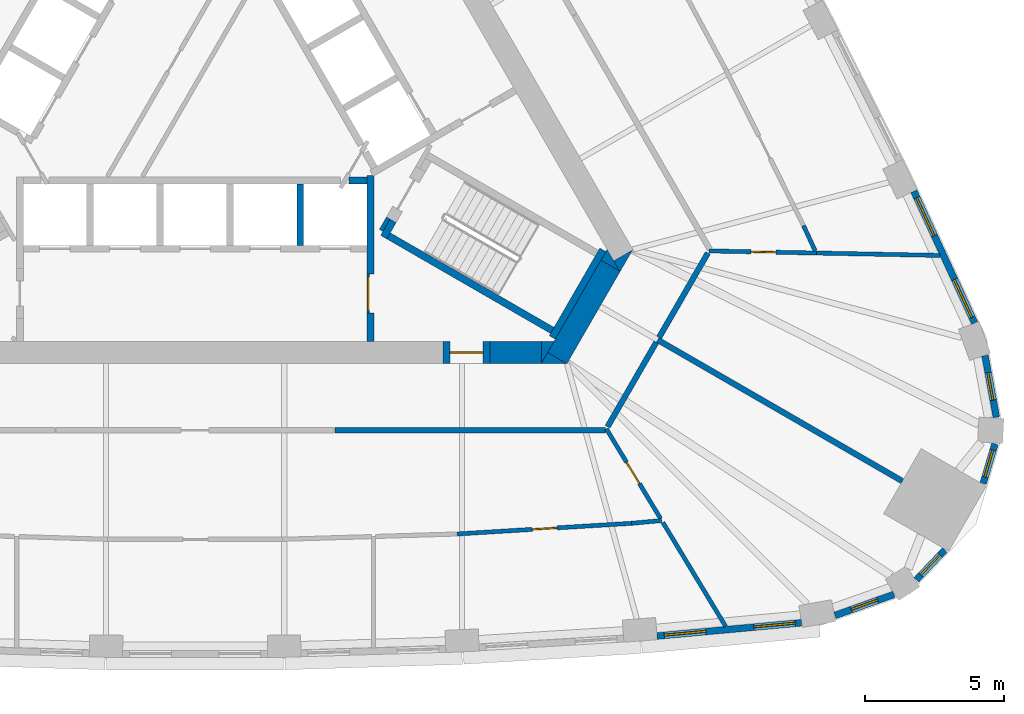
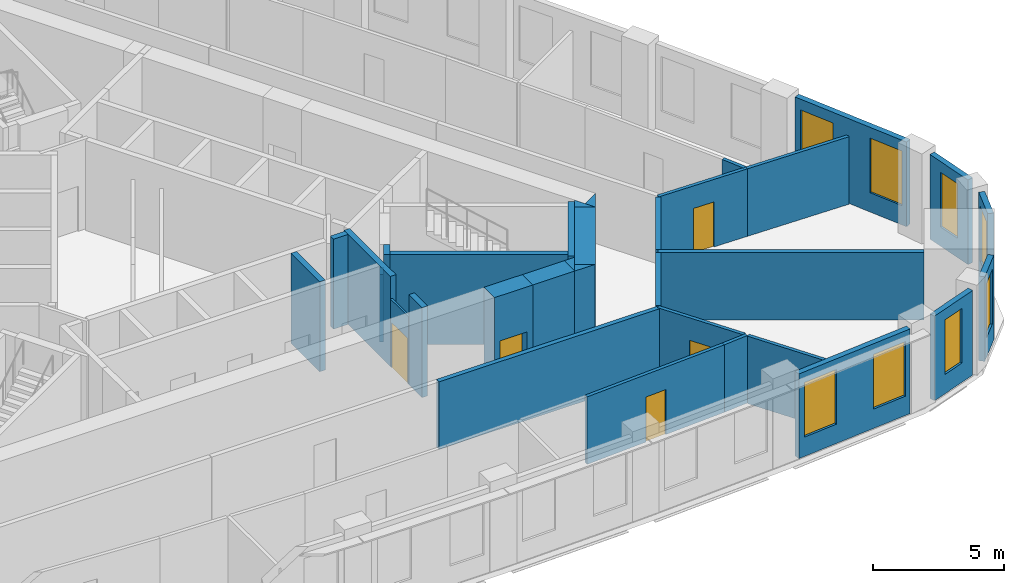
# One storey, part 6 of 10: 33 walls, 8 windows, 5 doors, 13 openings.
"""IFC4 building model written with IfcOpenShell, lengths in metres."""

import ifcopenshell
import ifcopenshell.guid

model = None  # the IFC model being written
_history = None  # IfcOwnerHistory: only IFC2X3 demands one
_inside = {}  # id of a spatial element -> (the spatial element, [elements in it])
_under = {}  # id of a project, library or spatial element -> (it, [spatial elements below it])
_declared = {}  # id of a project -> (the project, [libraries it declares])
_typed = {}  # id of a type object -> (the type object, [elements of that type])
_made_of = {}  # id of a material, layer set ... -> (it, [elements and type objects made of it])


def new_model(schema):
    """Start an empty IFC model of exactly this schema.

    Asked for "IFC4X3", IfcOpenShell would pick the latest addendum, in which some entities
    have other attributes; the version numbers below select the first issue.
    IFC2X3 requires an IfcOwnerHistory on every rooted entity: one is made here for all.
    """
    global model, _history
    if schema == "IFC4X3":
        model = ifcopenshell.file(schema_version=(4, 3, 0, 0))
    else:
        model = ifcopenshell.file(schema=schema)
    _inside.clear()
    _under.clear()
    _declared.clear()
    _typed.clear()
    _made_of.clear()
    _history = None
    if model.schema == "IFC2X3":
        org = make("IfcOrganization", Name="unknown")
        user = make(
            "IfcPersonAndOrganization",
            ThePerson=make("IfcPerson", FamilyName="unknown"),
            TheOrganization=org,
        )
        app = make(
            "IfcApplication",
            ApplicationDeveloper=org,
            Version="unknown",
            ApplicationFullName="unknown",
            ApplicationIdentifier="unknown",
        )
        _history = make(
            "IfcOwnerHistory",
            OwningUser=user,
            OwningApplication=app,
            ChangeAction="ADDED",
            CreationDate=0,
        )
    return model


def make(cls, **values):
    """One entity of the class cls with the attributes given. An attribute that is None is left unset."""
    return model.create_entity(
        cls, **{name: value for name, value in values.items() if value is not None}
    )


def rooted(cls, **values):
    """An entity with a GlobalId (a new one), such as an element, a storey or a relation."""
    return make(cls, GlobalId=ifcopenshell.guid.new(), OwnerHistory=_history, **values)


def si_unit(unit_type, name, prefix=None):
    """IfcSIUnit, for example si_unit("LENGTHUNIT", "METRE", prefix="MILLI")."""
    return make("IfcSIUnit", UnitType=unit_type, Prefix=prefix, Name=name)


def assignment(units):
    """IfcUnitAssignment: the units of a project."""
    return None if units is None else make("IfcUnitAssignment", Units=units)


def point(xyz):
    """IfcCartesianPoint."""
    return None if xyz is None else make("IfcCartesianPoint", Coordinates=xyz)


def direction(xyz):
    """IfcDirection."""
    return None if xyz is None else make("IfcDirection", DirectionRatios=xyz)


def frame(location, z_axis=None, x_axis=None):
    """IfcAxis2Placement3D, a coordinate frame: its origin and axes. An axis left out is left unset."""
    return make(
        "IfcAxis2Placement3D",
        Location=point(location),
        Axis=direction(z_axis),
        RefDirection=direction(x_axis),
    )


def frame_2d(location, x_axis=None):
    """IfcAxis2Placement2D, a coordinate frame in the plane: its origin and x axis."""
    return make(
        "IfcAxis2Placement2D", Location=point(location), RefDirection=direction(x_axis)
    )


def origin():
    """The frame at (0, 0, 0) with its axes left unset."""
    return frame((0.0, 0.0, 0.0))


def place(relative_to, where):
    """IfcLocalPlacement: puts the frame where relative to a parent placement (None: the world)."""
    return make(
        "IfcLocalPlacement", PlacementRelTo=relative_to, RelativePlacement=where
    )


def context(
    kind, dimensions, precision=None, world=None, true_north=None, identifier=None
):
    """IfcGeometricRepresentationContext, for example the 3D "Model" context."""
    return make(
        "IfcGeometricRepresentationContext",
        ContextIdentifier=identifier,
        ContextType=kind,
        CoordinateSpaceDimension=dimensions,
        Precision=precision,
        WorldCoordinateSystem=world,
        TrueNorth=true_north,
    )


def subcontext(parent, identifier, kind, view, scale=None):
    """IfcGeometricRepresentationSubContext, for example "Body" below "Model"."""
    return make(
        "IfcGeometricRepresentationSubContext",
        ContextIdentifier=identifier,
        ContextType=kind,
        ParentContext=parent,
        TargetScale=scale,
        TargetView=view,
    )


def project(units=None, contexts=None):
    """IfcProject with its units and contexts."""
    return rooted(
        "IfcProject",
        Name="project",
        RepresentationContexts=contexts,
        UnitsInContext=assignment(units),
    )


def spatial(cls, under=None, at=None, **own):
    """A site, building, storey or space (cls), placed at a placement, below another one or the project."""
    s = rooted(cls, ObjectPlacement=at, **own)
    if under is not None:
        _under.setdefault(under.id(), (under, []))[1].append(s)
    return s


def polyline(points):
    """IfcPolyline through the points."""
    return make("IfcPolyline", Points=[point(p) for p in points])


def profile(cls, at=None, kind="AREA", **sizes):
    """A parametric profile (cls). Its sizes go by their IFC names, for example OverallWidth=200.0."""
    return make(cls, ProfileType=kind, Position=at, **sizes)


def rectangle(**sizes):
    """IfcRectangleProfileDef."""
    return profile("IfcRectangleProfileDef", **sizes)


def outline(outer, holes=None, kind="AREA"):
    """IfcArbitraryClosedProfileDef: a profile drawn as a closed curve; with holes, ...WithVoids."""
    if holes is None:
        return make("IfcArbitraryClosedProfileDef", ProfileType=kind, OuterCurve=outer)
    return make(
        "IfcArbitraryProfileDefWithVoids",
        ProfileType=kind,
        OuterCurve=outer,
        InnerCurves=holes,
    )


def extrude(swept, where, along, depth):
    """IfcExtrudedAreaSolid: the profile swept, set in the frame where, extruded along a direction by depth."""
    return make(
        "IfcExtrudedAreaSolid",
        SweptArea=swept,
        Position=where,
        ExtrudedDirection=direction(along),
        Depth=depth,
    )


def shape(context_of_items, identifier, shape_type, items):
    """IfcShapeRepresentation: the items that make up one representation, for example the "Body"."""
    return make(
        "IfcShapeRepresentation",
        ContextOfItems=context_of_items,
        RepresentationIdentifier=identifier,
        RepresentationType=shape_type,
        Items=items,
    )


def material(Name=None, Category=None):
    """IfcMaterial."""
    return make("IfcMaterial", Name=Name, Category=Category)


def layer(
    of_material, thickness, ventilated=None, Name=None, Category=None, Priority=None
):
    """IfcMaterialLayer: one layer of a wall or slab, of a material (None: an air gap)."""
    return make(
        "IfcMaterialLayer",
        Material=of_material,
        LayerThickness=thickness,
        IsVentilated=ventilated,
        Name=Name,
        Category=Category,
        Priority=Priority,
    )


def layer_set(layers, Name=None):
    """IfcMaterialLayerSet."""
    return make("IfcMaterialLayerSet", MaterialLayers=layers, LayerSetName=Name)


def made_of(thing, what):
    """Note that an element or type object is made of a material, layer set ...; save() writes the relation."""
    if what is not None:
        _made_of.setdefault(what.id(), (what, []))[1].append(thing)
    return thing


def type_object(cls, material=None, **own):
    """A type object (cls), such as IfcWallType, which elements share."""
    return made_of(rooted(cls, **own), material)


def element(
    cls,
    number,
    at=None,
    inside=None,
    cuts=None,
    type_object=None,
    material=None,
    context=None,
    identifier="Body",
    shape_type=None,
    held_by="IfcProductDefinitionShape",
    body=None,
    shapes=None,
    **own,
):
    """One element of the class cls, such as IfcWall. Its Tag is "e" and its number.

    at: its placement. inside: the storey or other place that contains it. cuts: it is an
    opening in that element (IfcRelVoidsElement). A single representation is given by context,
    identifier, shape_type and body (its items); several are given by shapes. held_by: the class
    of the entity that holds the representations. save() writes the other relations.
    """
    e = rooted(cls, Tag="e%d" % number, ObjectPlacement=at, **own)
    if body is not None:
        shapes = [shape(context, identifier, shape_type, body)]
    if shapes is not None:
        e.Representation = make(held_by, Representations=shapes)
    if inside is not None:
        _inside.setdefault(inside.id(), (inside, []))[1].append(e)
    if cuts is not None:
        rooted(
            "IfcRelVoidsElement", RelatingBuildingElement=cuts, RelatedOpeningElement=e
        )
    if type_object is not None:
        _typed.setdefault(type_object.id(), (type_object, []))[1].append(e)
    return made_of(e, material)


def fill(opening, filler):
    """IfcRelFillsElement: the door or window that sits in an opening."""
    return rooted(
        "IfcRelFillsElement",
        RelatingOpeningElement=opening,
        RelatedBuildingElement=filler,
    )


def aggregate(whole, parts):
    """IfcRelAggregates: a whole, such as a stair, and the parts it consists of."""
    return rooted("IfcRelAggregates", RelatingObject=whole, RelatedObjects=parts)


def save(model, path):
    """Write the relations noted so far, then the file.

    IfcRelAggregates (storeys below a building ...), IfcRelContainedInSpatialStructure (elements
    in a storey), IfcRelDefinesByType, IfcRelAssociatesMaterial and IfcRelDeclares: one each for
    every whole, place, type object, material and project.
    """
    for whole, parts in _under.values():
        aggregate(whole, parts)
    for where, things in _inside.values():
        rooted(
            "IfcRelContainedInSpatialStructure",
            RelatedElements=things,
            RelatingStructure=where,
        )
    for kind, things in _typed.values():
        rooted("IfcRelDefinesByType", RelatedObjects=things, RelatingType=kind)
    for what, things in _made_of.values():
        rooted("IfcRelAssociatesMaterial", RelatedObjects=things, RelatingMaterial=what)
    for by, libraries in _declared.values():
        rooted("IfcRelDeclares", RelatingContext=by, RelatedDefinitions=libraries)
    model.write(path)


model = new_model("IFC4")

# Units and contexts
model_context = context("Model", 3, precision=1e-05, world=origin(), true_north=direction((0.0, 1.0)))
body_context = subcontext(model_context, "Body", "Model", "MODEL_VIEW")
ifc_project = project(units=[si_unit("LENGTHUNIT", "METRE"), si_unit("AREAUNIT", "SQUARE_METRE"), si_unit("VOLUMEUNIT", "CUBIC_METRE"), si_unit("PLANEANGLEUNIT", "RADIAN"), si_unit("MASSUNIT", "GRAM", prefix="KILO")], contexts=[model_context])

# Site, building, storey
site_placement = place(None, origin())
site = spatial("IfcSite", under=ifc_project, at=site_placement, CompositionType="ELEMENT")
building_placement = place(site_placement, origin())
building = spatial("IfcBuilding", under=site, at=building_placement, Name="Mestral Congress Tower", CompositionType="ELEMENT")
storey_placement = place(building_placement, frame((0.0, 0.0, 145.800048828125)))
storey = spatial("IfcBuildingStorey", under=building, at=storey_placement, Name="L34", CompositionType="ELEMENT", Elevation=145.800048828125)

# Wall
ifc_material_1 = material(Name="Fire-rated board partition")
ifc_layer_1 = layer(ifc_material_1, 0.14990234375)
ifc_layer_set_1 = layer_set([ifc_layer_1], Name="Fire-rated board partition")
wall_type_1 = type_object("IfcWallType", Name="Core partition 150", PredefinedType="PARTITIONING", material=ifc_layer_set_1)
wall_1_placement = place(storey_placement, frame((6.94482421875, -5.22216796875, 0.0), z_axis=(0.0, 0.0, 1.0), x_axis=(-0.499818422106, -0.866130212453, 0.0)))
element("IfcWall", 1, at=wall_1_placement, inside=storey, type_object=wall_type_1, Name="L34 core wall", PredefinedType="PARTITIONING", context=body_context, shape_type="SweptSolid", body=[
    extrude(rectangle(XDim=0.513916015625, YDim=0.14990234375, at=frame_2d((0.2568359375, 0.0))), origin(), (0.0, 0.0, 1.0), 3.14990234375),
])

# Wall, opening, door
ifc_layer_2 = layer(ifc_material_1, 0.090087890625)
ifc_layer_set_2 = layer_set([ifc_layer_2], Name="Fire-rated board partition")
wall_type_2 = type_object("IfcWallType", Name="Core partition 150 door-wall 90", PredefinedType="PARTITIONING", material=ifc_layer_set_2)
wall_2_placement = place(storey_placement, frame((6.219970703125, -7.23681640625, 0.0), z_axis=(0.0, 0.0, 1.0), x_axis=(0.0, -1.0, 0.0)))
wall_2 = element("IfcWall", 2, at=wall_2_placement, inside=storey, type_object=wall_type_2, Name="L34 door wall", PredefinedType="PARTITIONING", context=body_context, shape_type="SweptSolid", body=[
    extrude(rectangle(XDim=1.400146484375, YDim=0.090087890625, at=frame_2d((0.7001953125, 0.0))), origin(), (0.0, 0.0, 1.0), 3.14990234375),
])
opening_1_placement = place(wall_2_placement, frame((0.10009765625, 0.0, 0.0)))
opening_1 = element("IfcOpeningElement", 3, at=opening_1_placement, cuts=wall_2, Name="Opening LB0-WL1", PredefinedType="OPENING", context=body_context, shape_type="SweptSolid", body=[
    extrude(rectangle(XDim=1.199951171875, YDim=2.10009765625, at=frame_2d((0.60009765625, 1.050048828125))), frame((0.0, 0.054931640625, 0.0), z_axis=(0.0, -1.0, 0.0), x_axis=(1.0, 0.0, 0.0)), (0.0, 0.0, 1.0), 0.110107421875),
])
ifc_material_2 = material(Name="Fire-rated steel door set", Category="steel")
door_type_1 = type_object("IfcDoorType", Name="Core door LB 1200x2100", OperationType="SINGLE_SWING_LEFT", PredefinedType="DOOR", material=ifc_material_2)
door_1_placement = place(opening_1_placement, origin())
door_1 = element("IfcDoor", 4, at=door_1_placement, inside=storey, type_object=door_type_1, Name="Door LB0-WL1", OperationType="SINGLE_SWING_LEFT", OverallHeight=2.10009765625, OverallWidth=1.199951171875, PredefinedType="DOOR", context=body_context, shape_type="SweptSolid", body=[
    extrude(rectangle(XDim=1.199951171875, YDim=2.10009765625, at=frame_2d((0.60009765625, 1.050048828125))), frame((0.0, 0.02490234375, 0.0), z_axis=(0.0, -1.0, 0.0), x_axis=(1.0, 0.0, 0.0)), (0.0, 0.0, 1.0), 0.050048828125),
])
fill(opening_1, door_1)

# Walls
ifc_material_3 = material(Name="Concrete C60/75", Category="concrete")
ifc_layer_3 = layer(ifc_material_3, 0.800048828125)
ifc_layer_set_3 = layer_set([ifc_layer_3], Name="Concrete C60/75")
wall_type_3 = type_object("IfcWallType", Name="Core wall RC 800", PredefinedType="SOLIDWALL", material=ifc_layer_set_3)
placement = place(storey_placement, origin())
element("IfcWall", 5, at=placement, inside=storey, type_object=wall_type_3, Name="L34 core wall", PredefinedType="SOLIDWALL", context=body_context, shape_type="SweptSolid", body=[
    extrude(outline(polyline([(15.27099609375, -7.14990234375), (15.046875, -6.761962890625), (15.718994140625, -6.3740234375), (15.27099609375, -7.14990234375)])), origin(), (0.0, 0.0, 1.0), 4.199951171875),
])
wall_4_placement = place(storey_placement, frame((13.018310546875, -10.251708984375, 0.0), z_axis=(0.0, 0.0, 1.0), x_axis=(0.499984020225, 0.866034629516, 0.0)))
element("IfcWall", 6, at=wall_4_placement, inside=storey, type_object=wall_type_3, Name="L34 core wall", PredefinedType="SOLIDWALL", context=body_context, shape_type="SweptSolid", body=[
    extrude(rectangle(XDim=3.824462890625, YDim=0.800048828125, at=frame_2d((1.912109375, 0.0))), origin(), (0.0, 0.0, 1.0), 4.199951171875),
])
element("IfcWall", 7, at=placement, inside=storey, type_object=wall_type_3, Name="L34 core wall", PredefinedType="SOLIDWALL", context=body_context, shape_type="SweptSolid", body=[
    extrude(outline(polyline([(12.6708984375, -10.053466796875), (13.35791015625, -10.449951171875), (12.44189453125, -10.449951171875), (12.6708984375, -10.053466796875)])), origin(), (0.0, 0.0, 1.0), 4.199951171875),
])
element("IfcWall", 8, at=placement, inside=storey, type_object=wall_type_3, Name="L34 core wall", PredefinedType="SOLIDWALL", context=body_context, shape_type="SweptSolid", body=[
    extrude(outline(polyline([(14.80908203125, -6.35009765625), (15.257080078125, -7.1259765625), (14.5849609375, -6.738037109375), (14.80908203125, -6.35009765625)])), origin(), (0.0, 0.0, 1.0), 4.199951171875),
])
wall_7_placement = place(storey_placement, frame((10.6044921875, -10.050048828125, 0.0), z_axis=(0.0, 0.0, 1.0), x_axis=(1.0, 0.0, 0.0)))
element("IfcWall", 9, at=wall_7_placement, inside=storey, type_object=wall_type_3, Name="L34 core wall", PredefinedType="SOLIDWALL", context=body_context, shape_type="SweptSolid", body=[
    extrude(rectangle(XDim=1.849365234375, YDim=0.800048828125, at=frame_2d((0.9248046875, 0.0))), origin(), (0.0, 0.0, 1.0), 4.199951171875),
])
element("IfcWall", 10, at=placement, inside=storey, type_object=wall_type_3, Name="L34 core wall", PredefinedType="SOLIDWALL", context=body_context, shape_type="SweptSolid", body=[
    extrude(outline(polyline([(12.90380859375, -9.64990234375), (12.455810546875, -10.42578125), (12.455810546875, -9.64990234375), (12.90380859375, -9.64990234375)])), origin(), (0.0, 0.0, 1.0), 4.199951171875),
])

# Wall, opening, door
wall_9_placement = place(storey_placement, frame((10.6044921875, -10.050048828125, 0.0), z_axis=(0.0, 0.0, 1.0), x_axis=(-1.0, 0.0, 0.0)))
wall_9 = element("IfcWall", 11, at=wall_9_placement, inside=storey, type_object=wall_type_3, Name="L34 door wall", PredefinedType="SOLIDWALL", context=body_context, shape_type="SweptSolid", body=[
    extrude(rectangle(XDim=1.699951171875, YDim=0.800048828125, at=frame_2d((0.85009765625, 0.0))), origin(), (0.0, 0.0, 1.0), 4.199951171875),
])
opening_2_placement = place(wall_9_placement, frame((0.25, 0.0, 0.0)))
opening_2 = element("IfcOpeningElement", 12, at=opening_2_placement, cuts=wall_9, Name="Opening XD1", PredefinedType="OPENING", context=body_context, shape_type="SweptSolid", body=[
    extrude(rectangle(XDim=1.199951171875, YDim=2.10009765625, at=frame_2d((0.60009765625, 1.050048828125))), frame((0.0, 0.409912109375, 0.0), z_axis=(0.0, -1.0, 0.0), x_axis=(1.0, 0.0, 0.0)), (0.0, 0.0, 1.0), 0.820068359375),
])
door_type_2 = type_object("IfcDoorType", Name="Core door XD 1200x2100", OperationType="SINGLE_SWING_LEFT", PredefinedType="DOOR", material=ifc_material_2)
door_2_placement = place(opening_2_placement, origin())
door_2 = element("IfcDoor", 13, at=door_2_placement, inside=storey, type_object=door_type_2, Name="Door XD1", OperationType="SINGLE_SWING_LEFT", OverallHeight=2.10009765625, OverallWidth=1.199951171875, PredefinedType="DOOR", context=body_context, shape_type="SweptSolid", body=[
    extrude(rectangle(XDim=1.199951171875, YDim=2.10009765625, at=frame_2d((0.60009765625, 1.050048828125))), frame((0.0, 0.02490234375, 0.0), z_axis=(0.0, -1.0, 0.0), x_axis=(1.0, 0.0, 0.0)), (0.0, 0.0, 1.0), 0.050048828125),
])
fill(opening_2, door_2)

# Wall, openings, windows
ifc_material_4 = material(Name="Precast concrete C40/50 with limestone facing", Category="masonry")
ifc_layer_4 = layer(ifc_material_4, 0.239990234375)
ifc_layer_set_4 = layer_set([ifc_layer_4], Name="Precast concrete C40/50 with limestone facing")
wall_type_4 = type_object("IfcWallType", Name="Facade stone wall 240", PredefinedType="SOLIDWALL", material=ifc_layer_set_4)
wall_10_placement = place(storey_placement, frame((16.605712890625, -20.24658203125, 0.0), z_axis=(0.0, 0.0, 1.0), x_axis=(0.995808712151, 0.091460422067, 0.0)))
wall_10 = element("IfcWall", 14, at=wall_10_placement, inside=storey, type_object=wall_type_4, Name="Facade wall F0-06", PredefinedType="SOLIDWALL", context=body_context, shape_type="SweptSolid", body=[
    extrude(rectangle(XDim=5.213134765625, YDim=0.239990234375, at=frame_2d((2.6064453125, 0.0))), origin(), (0.0, 0.0, 1.0), 3.949951171875),
])
opening_3_placement = place(wall_10_placement, frame((0.2607421875, 0.0, 0.89990234375)))
opening_3 = element("IfcOpeningElement", 15, at=opening_3_placement, cuts=wall_10, Name="Opening W4", PredefinedType="OPENING", context=body_context, shape_type="SweptSolid", body=[
    extrude(rectangle(XDim=1.5, YDim=2.550048828125, at=frame_2d((0.75, 1.27490234375))), frame((0.0, 0.1298828125, 0.0), z_axis=(0.0, -1.0, 0.0), x_axis=(1.0, 0.0, 0.0)), (0.0, 0.0, 1.0), 0.260009765625),
])
opening_4_placement = place(wall_10_placement, frame((3.492431640625, 0.0, 0.89990234375)))
opening_4 = element("IfcOpeningElement", 16, at=opening_4_placement, cuts=wall_10, Name="Opening W4", PredefinedType="OPENING", context=body_context, shape_type="SweptSolid", body=[
    extrude(rectangle(XDim=1.5, YDim=2.550048828125, at=frame_2d((0.75, 1.27490234375))), frame((0.0, 0.1298828125, 0.0), z_axis=(0.0, -1.0, 0.0), x_axis=(1.0, 0.0, 0.0)), (0.0, 0.0, 1.0), 0.260009765625),
])
ifc_material_5 = material(Name="Clear low-emissivity double glazing", Category="glass")
window_type_1 = type_object("IfcWindowType", Name="Facade punched window 1500 x 2550 sill 900", PartitioningType="SINGLE_PANEL", PredefinedType="WINDOW", material=ifc_material_5)
window_1_placement = place(opening_3_placement, origin())
window_1 = element("IfcWindow", 17, at=window_1_placement, inside=storey, type_object=window_type_1, Name="Window F0-06a", OverallHeight=2.550048828125, OverallWidth=1.5, PartitioningType="SINGLE_PANEL", PredefinedType="WINDOW", context=body_context, shape_type="SweptSolid", body=[
    extrude(rectangle(XDim=1.5, YDim=2.550048828125, at=frame_2d((0.75, 1.27490234375))), frame((0.0, 0.0400390625, 0.0), z_axis=(0.0, -1.0, 0.0), x_axis=(1.0, 0.0, 0.0)), (0.0, 0.0, 1.0), 0.06005859375),
])
fill(opening_3, window_1)
window_2_placement = place(opening_4_placement, origin())
window_2 = element("IfcWindow", 18, at=window_2_placement, inside=storey, type_object=window_type_1, Name="Window F0-06b", OverallHeight=2.550048828125, OverallWidth=1.5, PartitioningType="SINGLE_PANEL", PredefinedType="WINDOW", context=body_context, shape_type="SweptSolid", body=[
    extrude(rectangle(XDim=1.5, YDim=2.550048828125, at=frame_2d((0.75, 1.27490234375))), frame((0.0, 0.0400390625, 0.0), z_axis=(0.0, -1.0, 0.0), x_axis=(1.0, 0.0, 0.0)), (0.0, 0.0, 1.0), 0.06005859375),
])
fill(opening_4, window_2)

# Wall, opening, window
wall_11_placement = place(storey_placement, frame((23.0009765625, -19.50537109375, 0.0), z_axis=(0.0, 0.0, 1.0), x_axis=(0.942099727267, 0.335332825539, 0.0)))
wall_11 = element("IfcWall", 19, at=wall_11_placement, inside=storey, type_object=wall_type_4, Name="Facade wall K0-0", PredefinedType="SOLIDWALL", context=body_context, shape_type="SweptSolid", body=[
    extrude(rectangle(XDim=2.25048828125, YDim=0.239990234375, at=frame_2d((1.125244140625, 0.0))), origin(), (0.0, 0.0, 1.0), 3.949951171875),
])
opening_5_placement = place(wall_11_placement, frame((0.625244140625, 0.0, 0.89990234375)))
opening_5 = element("IfcOpeningElement", 20, at=opening_5_placement, cuts=wall_11, Name="Opening W5", PredefinedType="OPENING", context=body_context, shape_type="SweptSolid", body=[
    extrude(rectangle(XDim=1.0, YDim=2.550048828125, at=frame_2d((0.5, 1.27490234375))), frame((0.0, 0.1298828125, 0.0), z_axis=(0.0, -1.0, 0.0), x_axis=(1.0, 0.0, 0.0)), (0.0, 0.0, 1.0), 0.260009765625),
])
window_type_2 = type_object("IfcWindowType", Name="Facade punched window 1000 x 2550 sill 900", PartitioningType="SINGLE_PANEL", PredefinedType="WINDOW", material=ifc_material_5)
window_3_placement = place(opening_5_placement, origin())
window_3 = element("IfcWindow", 21, at=window_3_placement, inside=storey, type_object=window_type_2, Name="Window K0-0", OverallHeight=2.550048828125, OverallWidth=1.0, PartitioningType="SINGLE_PANEL", PredefinedType="WINDOW", context=body_context, shape_type="SweptSolid", body=[
    extrude(rectangle(XDim=1.0, YDim=2.550048828125, at=frame_2d((0.5, 1.27490234375))), frame((0.0, 0.0400390625, 0.0), z_axis=(0.0, -1.0, 0.0), x_axis=(1.0, 0.0, 0.0)), (0.0, 0.0, 1.0), 0.06005859375),
])
fill(opening_5, window_3)

wall_12_placement = place(storey_placement, frame((25.9267578125, -18.226318359375, 0.0), z_axis=(0.0, 0.0, 1.0), x_axis=(0.687986858937, 0.725723144133, 0.0)))
wall_12 = element("IfcWall", 22, at=wall_12_placement, inside=storey, type_object=wall_type_4, Name="Facade wall K0-1", PredefinedType="SOLIDWALL", context=body_context, shape_type="SweptSolid", body=[
    extrude(rectangle(XDim=1.4814453125, YDim=0.239990234375, at=frame_2d((0.74072265625, 0.0))), origin(), (0.0, 0.0, 1.0), 3.949951171875),
])
opening_6_placement = place(wall_12_placement, frame((0.24072265625, 0.0, 0.89990234375)))
opening_6 = element("IfcOpeningElement", 23, at=opening_6_placement, cuts=wall_12, Name="Opening W5", PredefinedType="OPENING", context=body_context, shape_type="SweptSolid", body=[
    extrude(rectangle(XDim=1.0, YDim=2.550048828125, at=frame_2d((0.5, 1.27490234375))), frame((0.0, 0.1298828125, 0.0), z_axis=(0.0, -1.0, 0.0), x_axis=(1.0, 0.0, 0.0)), (0.0, 0.0, 1.0), 0.260009765625),
])
window_4_placement = place(opening_6_placement, origin())
window_4 = element("IfcWindow", 24, at=window_4_placement, inside=storey, type_object=window_type_2, Name="Window K0-1", OverallHeight=2.550048828125, OverallWidth=1.0, PartitioningType="SINGLE_PANEL", PredefinedType="WINDOW", context=body_context, shape_type="SweptSolid", body=[
    extrude(rectangle(XDim=1.0, YDim=2.550048828125, at=frame_2d((0.5, 1.27490234375))), frame((0.0, 0.0400390625, 0.0), z_axis=(0.0, -1.0, 0.0), x_axis=(1.0, 0.0, 0.0)), (0.0, 0.0, 1.0), 0.06005859375),
])
fill(opening_6, window_4)

wall_13_placement = place(storey_placement, frame((28.326416015625, -14.760498046875, 0.0), z_axis=(0.0, 0.0, 1.0), x_axis=(0.284413721403, 0.958701640281, 0.0)))
wall_13 = element("IfcWall", 25, at=wall_13_placement, inside=storey, type_object=wall_type_4, Name="Facade wall K0-2", PredefinedType="SOLIDWALL", context=body_context, shape_type="SweptSolid", body=[
    extrude(rectangle(XDim=1.481689453125, YDim=0.239990234375, at=frame_2d((0.74072265625, 0.0))), origin(), (0.0, 0.0, 1.0), 3.949951171875),
])
opening_7_placement = place(wall_13_placement, frame((0.24072265625, 0.0, 0.89990234375)))
opening_7 = element("IfcOpeningElement", 26, at=opening_7_placement, cuts=wall_13, Name="Opening W5", PredefinedType="OPENING", context=body_context, shape_type="SweptSolid", body=[
    extrude(rectangle(XDim=1.0, YDim=2.550048828125, at=frame_2d((0.5, 1.27490234375))), frame((0.0, 0.1298828125, 0.0), z_axis=(0.0, -1.0, 0.0), x_axis=(1.0, 0.0, 0.0)), (0.0, 0.0, 1.0), 0.260009765625),
])
window_5_placement = place(opening_7_placement, origin())
window_5 = element("IfcWindow", 27, at=window_5_placement, inside=storey, type_object=window_type_2, Name="Window K0-2", OverallHeight=2.550048828125, OverallWidth=1.0, PartitioningType="SINGLE_PANEL", PredefinedType="WINDOW", context=body_context, shape_type="SweptSolid", body=[
    extrude(rectangle(XDim=1.0, YDim=2.550048828125, at=frame_2d((0.5, 1.27490234375))), frame((0.0, 0.0400390625, 0.0), z_axis=(0.0, -1.0, 0.0), x_axis=(1.0, 0.0, 0.0)), (0.0, 0.0, 1.0), 0.06005859375),
])
fill(opening_7, window_5)

wall_14_placement = place(storey_placement, frame((28.79931640625, -12.380126953125, 0.0), z_axis=(0.0, 0.0, 1.0), x_axis=(-0.180737189259, 0.983531427265, 0.0)))
wall_14 = element("IfcWall", 28, at=wall_14_placement, inside=storey, type_object=wall_type_4, Name="Facade wall K0-3", PredefinedType="SOLIDWALL", context=body_context, shape_type="SweptSolid", body=[
    extrude(rectangle(XDim=2.25048828125, YDim=0.239990234375, at=frame_2d((1.125244140625, 0.0))), origin(), (0.0, 0.0, 1.0), 3.949951171875),
])
opening_8_placement = place(wall_14_placement, frame((0.625244140625, 0.0, 0.89990234375)))
opening_8 = element("IfcOpeningElement", 29, at=opening_8_placement, cuts=wall_14, Name="Opening W5", PredefinedType="OPENING", context=body_context, shape_type="SweptSolid", body=[
    extrude(rectangle(XDim=1.0, YDim=2.550048828125, at=frame_2d((0.5, 1.27490234375))), frame((0.0, 0.1298828125, 0.0), z_axis=(0.0, -1.0, 0.0), x_axis=(1.0, 0.0, 0.0)), (0.0, 0.0, 1.0), 0.260009765625),
])
window_6_placement = place(opening_8_placement, origin())
window_6 = element("IfcWindow", 30, at=window_6_placement, inside=storey, type_object=window_type_2, Name="Window K0-3", OverallHeight=2.550048828125, OverallWidth=1.0, PartitioningType="SINGLE_PANEL", PredefinedType="WINDOW", context=body_context, shape_type="SweptSolid", body=[
    extrude(rectangle(XDim=1.0, YDim=2.550048828125, at=frame_2d((0.5, 1.27490234375))), frame((0.0, 0.0400390625, 0.0), z_axis=(0.0, -1.0, 0.0), x_axis=(1.0, 0.0, 0.0)), (0.0, 0.0, 1.0), 0.06005859375),
])
fill(opening_8, window_6)

# Wall, openings, windows
wall_15_placement = place(storey_placement, frame((28.019775390625, -8.991943359375, 0.0), z_axis=(0.0, 0.0, 1.0), x_axis=(-0.418722559465, 0.908114209885, 0.0)))
wall_15 = element("IfcWall", 31, at=wall_15_placement, inside=storey, type_object=wall_type_4, Name="Facade wall F1-00", PredefinedType="SOLIDWALL", context=body_context, shape_type="SweptSolid", body=[
    extrude(rectangle(XDim=5.213134765625, YDim=0.239990234375, at=frame_2d((2.6064453125, 0.0))), origin(), (0.0, 0.0, 1.0), 3.949951171875),
])
opening_9_placement = place(wall_15_placement, frame((0.220947265625, 0.0, 0.89990234375)))
opening_9 = element("IfcOpeningElement", 32, at=opening_9_placement, cuts=wall_15, Name="Opening W4", PredefinedType="OPENING", context=body_context, shape_type="SweptSolid", body=[
    extrude(rectangle(XDim=1.5, YDim=2.550048828125, at=frame_2d((0.75, 1.27490234375))), frame((0.0, 0.1298828125, 0.0), z_axis=(0.0, -1.0, 0.0), x_axis=(1.0, 0.0, 0.0)), (0.0, 0.0, 1.0), 0.260009765625),
])
opening_10_placement = place(wall_15_placement, frame((3.452392578125, 0.0, 0.89990234375)))
opening_10 = element("IfcOpeningElement", 33, at=opening_10_placement, cuts=wall_15, Name="Opening W4", PredefinedType="OPENING", context=body_context, shape_type="SweptSolid", body=[
    extrude(rectangle(XDim=1.5, YDim=2.550048828125, at=frame_2d((0.75, 1.27490234375))), frame((0.0, 0.1298828125, 0.0), z_axis=(0.0, -1.0, 0.0), x_axis=(1.0, 0.0, 0.0)), (0.0, 0.0, 1.0), 0.260009765625),
])
window_7_placement = place(opening_9_placement, origin())
window_7 = element("IfcWindow", 34, at=window_7_placement, inside=storey, type_object=window_type_1, Name="Window F1-00a", OverallHeight=2.550048828125, OverallWidth=1.5, PartitioningType="SINGLE_PANEL", PredefinedType="WINDOW", context=body_context, shape_type="SweptSolid", body=[
    extrude(rectangle(XDim=1.5, YDim=2.550048828125, at=frame_2d((0.75, 1.27490234375))), frame((0.0, 0.0400390625, 0.0), z_axis=(0.0, -1.0, 0.0), x_axis=(1.0, 0.0, 0.0)), (0.0, 0.0, 1.0), 0.06005859375),
])
fill(opening_9, window_7)
window_8_placement = place(opening_10_placement, origin())
window_8 = element("IfcWindow", 35, at=window_8_placement, inside=storey, type_object=window_type_1, Name="Window F1-00b", OverallHeight=2.550048828125, OverallWidth=1.5, PartitioningType="SINGLE_PANEL", PredefinedType="WINDOW", context=body_context, shape_type="SweptSolid", body=[
    extrude(rectangle(XDim=1.5, YDim=2.550048828125, at=frame_2d((0.75, 1.27490234375))), frame((0.0, 0.0400390625, 0.0), z_axis=(0.0, -1.0, 0.0), x_axis=(1.0, 0.0, 0.0)), (0.0, 0.0, 1.0), 0.06005859375),
])
fill(opening_10, window_8)

# Wall, opening, door
ifc_material_6 = material(Name="Plasterboard partition on steel studs", Category="steel")
ifc_layer_5 = layer(ifc_material_6, 0.14990234375)
ifc_layer_set_5 = layer_set([ifc_layer_5], Name="Plasterboard partition on steel studs")
wall_type_5 = type_object("IfcWallType", Name="Office partition 150", PredefinedType="PARTITIONING", material=ifc_layer_set_5)
wall_16_placement = place(storey_placement, frame((15.691650390625, -16.193115234375, 0.0), z_axis=(0.0, 0.0, 1.0), x_axis=(-0.998137075468, -0.061011298754, 0.0)))
wall_16 = element("IfcWall", 36, at=wall_16_placement, inside=storey, type_object=wall_type_5, Name="Partition", PredefinedType="PARTITIONING", context=body_context, shape_type="SweptSolid", body=[
    extrude(rectangle(XDim=6.282470703125, YDim=0.14990234375, at=frame_2d((3.14111328125, 0.0))), origin(), (0.0, 0.0, 1.0), 3.14990234375),
])
opening_11_placement = place(wall_16_placement, frame((2.6826171875, 0.0, 0.0)))
opening_11 = element("IfcOpeningElement", 37, at=opening_11_placement, cuts=wall_16, Name="Opening O01-004", PredefinedType="OPENING", context=body_context, shape_type="SweptSolid", body=[
    extrude(rectangle(XDim=0.89990234375, YDim=2.10009765625, at=frame_2d((0.449951171875, 1.050048828125))), frame((0.0, 0.0849609375, 0.0), z_axis=(0.0, -1.0, 0.0), x_axis=(1.0, 0.0, 0.0)), (0.0, 0.0, 1.0), 0.169921875),
])
ifc_material_7 = material(Name="Timber door set", Category="wood")
door_type_3 = type_object("IfcDoorType", Name="Office door 900x2100", OperationType="SINGLE_SWING_LEFT", PredefinedType="DOOR", material=ifc_material_7)
door_3_placement = place(opening_11_placement, origin())
door_3 = element("IfcDoor", 38, at=door_3_placement, inside=storey, type_object=door_type_3, Name="Door O01-004", OperationType="SINGLE_SWING_LEFT", OverallHeight=2.10009765625, OverallWidth=0.89990234375, PredefinedType="DOOR", context=body_context, shape_type="SweptSolid", body=[
    extrude(rectangle(XDim=0.89990234375, YDim=2.10009765625, at=frame_2d((0.449951171875, 1.050048828125))), frame((0.0, 0.02490234375, 0.0), z_axis=(0.0, -1.0, 0.0), x_axis=(1.0, 0.0, 0.0)), (0.0, 0.0, 1.0), 0.050048828125),
])
fill(opening_11, door_3)

# Walls
wall_17_placement = place(storey_placement, frame((15.691650390625, -16.193115234375, 0.0), z_axis=(0.0, 0.0, 1.0), x_axis=(0.995822859979, 0.091306251389, 0.0)))
element("IfcWall", 39, at=wall_17_placement, inside=storey, type_object=wall_type_5, Name="Partition", PredefinedType="PARTITIONING", context=body_context, shape_type="SweptSolid", body=[
    extrude(rectangle(XDim=1.085693359375, YDim=0.14990234375, at=frame_2d((0.54296875, 0.0))), origin(), (0.0, 0.0, 1.0), 3.14990234375),
])
wall_18_placement = place(storey_placement, frame((16.81591796875, -16.165283203125, 0.0), z_axis=(0.0, 0.0, 1.0), x_axis=(0.516814925326, -0.85609715159, 0.0)))
element("IfcWall", 40, at=wall_18_placement, inside=storey, type_object=wall_type_5, Name="Partition", PredefinedType="PARTITIONING", context=body_context, shape_type="SweptSolid", body=[
    extrude(rectangle(XDim=4.362060546875, YDim=0.14990234375, at=frame_2d((2.18115234375, 0.0))), origin(), (0.0, 0.0, 1.0), 3.14990234375),
])

# Wall, opening, door
wall_19_placement = place(storey_placement, frame((14.7822265625, -12.79638671875, 0.0), z_axis=(0.0, 0.0, 1.0), x_axis=(0.516809076879, -0.856100682196, 0.0)))
wall_19 = element("IfcWall", 41, at=wall_19_placement, inside=storey, type_object=wall_type_5, Name="Partition", PredefinedType="PARTITIONING", context=body_context, shape_type="SweptSolid", body=[
    extrude(rectangle(XDim=3.768310546875, YDim=0.14990234375, at=frame_2d((1.88427734375, 0.0))), origin(), (0.0, 0.0, 1.0), 3.14990234375),
])
opening_12_placement = place(wall_19_placement, frame((1.39990234375, 0.0, 0.0)))
opening_12 = element("IfcOpeningElement", 42, at=opening_12_placement, cuts=wall_19, Name="Opening O01-006", PredefinedType="OPENING", context=body_context, shape_type="SweptSolid", body=[
    extrude(rectangle(XDim=0.89990234375, YDim=2.10009765625, at=frame_2d((0.449951171875, 1.050048828125))), frame((0.0, 0.0849609375, 0.0), z_axis=(0.0, -1.0, 0.0), x_axis=(1.0, 0.0, 0.0)), (0.0, 0.0, 1.0), 0.169921875),
])
door_4_placement = place(opening_12_placement, origin())
door_4 = element("IfcDoor", 43, at=door_4_placement, inside=storey, type_object=door_type_3, Name="Door O01-006", OperationType="SINGLE_SWING_LEFT", OverallHeight=2.10009765625, OverallWidth=0.89990234375, PredefinedType="DOOR", context=body_context, shape_type="SweptSolid", body=[
    extrude(rectangle(XDim=0.89990234375, YDim=2.10009765625, at=frame_2d((0.449951171875, 1.050048828125))), frame((0.0, 0.02490234375, 0.0), z_axis=(0.0, -1.0, 0.0), x_axis=(1.0, 0.0, 0.0)), (0.0, 0.0, 1.0), 0.050048828125),
])
fill(opening_12, door_4)

# Wall
wall_20_placement = place(storey_placement, frame((22.319580078125, -6.478515625, 0.0), z_axis=(0.0, 0.0, 1.0), x_axis=(0.999809252738, -0.019530953357, 0.0)))
element("IfcWall", 44, at=wall_20_placement, inside=storey, type_object=wall_type_5, Name="Partition", PredefinedType="PARTITIONING", context=body_context, shape_type="SweptSolid", body=[
    extrude(rectangle(XDim=4.449951171875, YDim=0.14990234375, at=frame_2d((2.22509765625, 0.0))), origin(), (0.0, 0.0, 1.0), 3.14990234375),
])

# Wall, opening, door
wall_21_placement = place(storey_placement, frame((22.328125, -6.478759765625, 0.0), z_axis=(0.0, 0.0, 1.0), x_axis=(-0.999809811932, 0.019502306655, 0.0)))
wall_21 = element("IfcWall", 45, at=wall_21_placement, inside=storey, type_object=wall_type_5, Name="Partition", PredefinedType="PARTITIONING", context=body_context, shape_type="SweptSolid", body=[
    extrude(rectangle(XDim=3.855712890625, YDim=0.14990234375, at=frame_2d((1.927734375, 0.0))), origin(), (0.0, 0.0, 1.0), 3.14990234375),
])
opening_13_placement = place(wall_21_placement, frame((1.45556640625, 0.0, 0.0)))
opening_13 = element("IfcOpeningElement", 46, at=opening_13_placement, cuts=wall_21, Name="Opening O01-007", PredefinedType="OPENING", context=body_context, shape_type="SweptSolid", body=[
    extrude(rectangle(XDim=0.89990234375, YDim=2.10009765625, at=frame_2d((0.449951171875, 1.050048828125))), frame((0.0, 0.0849609375, 0.0), z_axis=(0.0, -1.0, 0.0), x_axis=(1.0, 0.0, 0.0)), (0.0, 0.0, 1.0), 0.169921875),
])
door_5_placement = place(opening_13_placement, origin())
door_5 = element("IfcDoor", 47, at=door_5_placement, inside=storey, type_object=door_type_3, Name="Door O01-007", OperationType="SINGLE_SWING_LEFT", OverallHeight=2.10009765625, OverallWidth=0.89990234375, PredefinedType="DOOR", context=body_context, shape_type="SweptSolid", body=[
    extrude(rectangle(XDim=0.89990234375, YDim=2.10009765625, at=frame_2d((0.449951171875, 1.050048828125))), frame((0.0, 0.02490234375, 0.0), z_axis=(0.0, -1.0, 0.0), x_axis=(1.0, 0.0, 0.0)), (0.0, 0.0, 1.0), 0.050048828125),
])
fill(opening_13, door_5)

# Walls
wall_22_placement = place(storey_placement, frame((22.289306640625, -6.403076171875, 0.0), z_axis=(0.0, 0.0, 1.0), x_axis=(-0.41893460807, 0.908016406328, 0.0)))
element("IfcWall", 48, at=wall_22_placement, inside=storey, type_object=wall_type_5, Name="Partition", PredefinedType="PARTITIONING", context=body_context, shape_type="SweptSolid", body=[
    extrude(rectangle(XDim=1.00244140625, YDim=0.14990234375, at=frame_2d((0.501220703125, 0.0))), origin(), (0.0, 0.0, 1.0), 3.14990234375),
])
ifc_material_8 = material(Name="Dense masonry wall, plastered", Category="masonry")
ifc_layer_6 = layer(ifc_material_8, 0.199951171875)
ifc_layer_set_6 = layer_set([ifc_layer_6], Name="Dense masonry wall, plastered")
wall_type_6 = type_object("IfcWallType", Name="Office tenancy wall 200", PredefinedType="PARTITIONING", material=ifc_layer_set_6)
wall_23_placement = place(storey_placement, frame((5.030029296875, -12.85009765625, 0.0), z_axis=(0.0, 0.0, 1.0), x_axis=(1.0, 0.0, 0.0)))
element("IfcWall", 49, at=wall_23_placement, inside=storey, type_object=wall_type_6, Name="Tenancy wall", PredefinedType="PARTITIONING", context=body_context, shape_type="SweptSolid", body=[
    extrude(rectangle(XDim=9.72119140625, YDim=0.199951171875, at=frame_2d((4.860595703125, 0.0))), origin(), (0.0, 0.0, 1.0), 3.14990234375),
])
wall_24_placement = place(storey_placement, frame((16.627685546875, -9.60009765625, 0.0), z_axis=(0.0, 0.0, 1.0), x_axis=(0.866031435434, -0.499989552732, 0.0)))
element("IfcWall", 50, at=wall_24_placement, inside=storey, type_object=wall_type_6, Name="Tenancy wall", PredefinedType="PARTITIONING", context=body_context, shape_type="SweptSolid", body=[
    extrude(rectangle(XDim=10.154052734375, YDim=0.199951171875, at=frame_2d((5.0771484375, 0.0))), origin(), (0.0, 0.0, 1.0), 3.14990234375),
])
wall_25_placement = place(storey_placement, frame((14.824951171875, -12.722412109375, 0.0), z_axis=(0.0, 0.0, 1.0), x_axis=(0.499981686864, 0.86603597662, 0.0)))
element("IfcWall", 51, at=wall_25_placement, inside=storey, type_object=wall_type_6, Name="Tenancy wall", PredefinedType="PARTITIONING", context=body_context, shape_type="SweptSolid", body=[
    extrude(rectangle(XDim=3.505615234375, YDim=0.199951171875, at=frame_2d((1.7529296875, 0.0))), origin(), (0.0, 0.0, 1.0), 3.14990234375),
])
wall_26_placement = place(storey_placement, frame((16.677734375, -9.513427734375, 0.0), z_axis=(0.0, 0.0, 1.0), x_axis=(0.500011844827, 0.866018565062, 0.0)))
element("IfcWall", 52, at=wall_26_placement, inside=storey, type_object=wall_type_6, Name="Tenancy wall", PredefinedType="PARTITIONING", context=body_context, shape_type="SweptSolid", body=[
    extrude(rectangle(XDim=3.50537109375, YDim=0.199951171875, at=frame_2d((1.752685546875, 0.0))), origin(), (0.0, 0.0, 1.0), 3.14990234375),
])
ifc_layer_7 = layer(ifc_material_3, 0.25)
ifc_layer_set_7 = layer_set([ifc_layer_7], Name="Concrete C60/75")
wall_type_7 = type_object("IfcWallType", Name="Shaft wall RC 250", PredefinedType="SOLIDWALL", material=ifc_layer_set_7)
wall_27_placement = place(storey_placement, frame((3.780029296875, -4.0, 0.0), z_axis=(0.0, 0.0, 1.0), x_axis=(0.0, -1.0, 0.0)))
element("IfcWall", 53, at=wall_27_placement, inside=storey, type_object=wall_type_7, Name="L34 core wall", PredefinedType="SOLIDWALL", context=body_context, shape_type="SweptSolid", body=[
    extrude(rectangle(XDim=2.199951171875, YDim=0.25, at=frame_2d((1.10009765625, 0.0))), origin(), (0.0, 0.0, 1.0), 4.199951171875),
])
wall_28_placement = place(storey_placement, frame((6.300048828125, -7.239990234375, 0.0), z_axis=(0.0, 0.0, 1.0), x_axis=(0.0, 1.0, 0.0)))
element("IfcWall", 54, at=wall_28_placement, inside=storey, type_object=wall_type_7, Name="L34 core wall", PredefinedType="SOLIDWALL", context=body_context, shape_type="SweptSolid", body=[
    extrude(rectangle(XDim=3.55615234375, YDim=0.25, at=frame_2d((1.778076171875, 0.0))), origin(), (0.0, 0.0, 1.0), 4.199951171875),
])
wall_29_placement = place(storey_placement, frame((6.300048828125, -9.64990234375, 0.0), z_axis=(0.0, 0.0, 1.0), x_axis=(0.0, 1.0, 0.0)))
element("IfcWall", 55, at=wall_29_placement, inside=storey, type_object=wall_type_7, Name="L34 core wall", PredefinedType="SOLIDWALL", context=body_context, shape_type="SweptSolid", body=[
    extrude(rectangle(XDim=1.0078125, YDim=0.25, at=frame_2d((0.50390625, 0.0))), origin(), (0.0, 0.0, 1.0), 4.199951171875),
])
wall_30_placement = place(storey_placement, frame((5.538330078125, -3.875, 0.0), z_axis=(0.0, 0.0, 1.0), x_axis=(1.0, 0.0, 0.0)))
element("IfcWall", 56, at=wall_30_placement, inside=storey, type_object=wall_type_7, Name="L34 core wall", PredefinedType="SOLIDWALL", context=body_context, shape_type="SweptSolid", body=[
    extrude(rectangle(XDim=0.63671875, YDim=0.25, at=frame_2d((0.318359375, 0.0))), origin(), (0.0, 0.0, 1.0), 4.199951171875),
])
ifc_layer_8 = layer(ifc_material_3, 0.25)
ifc_layer_set_8 = layer_set([ifc_layer_8], Name="Concrete C60/75")
wall_type_8 = type_object("IfcWallType", Name="Stair wall RC 250", PredefinedType="SOLIDWALL", material=ifc_layer_set_8)
wall_31_placement = place(storey_placement, frame((12.839599609375, -9.510986328125, 0.0), z_axis=(0.0, 0.0, 1.0), x_axis=(0.499997733992, 0.866026712061, 0.0)))
element("IfcWall", 57, at=wall_31_placement, inside=storey, type_object=wall_type_8, Name="L34 core wall", PredefinedType="SOLIDWALL", context=body_context, shape_type="SweptSolid", body=[
    extrude(rectangle(XDim=3.6337890625, YDim=0.25, at=frame_2d((1.81689453125, 0.0))), origin(), (0.0, 0.0, 1.0), 4.199951171875),
])
wall_32_placement = place(storey_placement, frame((12.83984375, -9.2607421875, 0.0), z_axis=(0.0, 0.0, 1.0), x_axis=(-0.866013990052, 0.500019768644, 0.0)))
element("IfcWall", 58, at=wall_32_placement, inside=storey, type_object=wall_type_8, Name="L34 core wall", PredefinedType="SOLIDWALL", context=body_context, shape_type="SweptSolid", body=[
    extrude(rectangle(XDim=6.800048828125, YDim=0.25, at=frame_2d((3.39990234375, 0.0))), origin(), (0.0, 0.0, 1.0), 4.199951171875),
])
wall_33_placement = place(storey_placement, frame((6.780029296875, -5.906494140625, 0.0), z_axis=(0.0, 0.0, 1.0), x_axis=(0.500223362819, 0.865896406789, 0.0)))
element("IfcWall", 59, at=wall_33_placement, inside=storey, type_object=wall_type_8, Name="L34 core wall", PredefinedType="SOLIDWALL", context=body_context, shape_type="SweptSolid", body=[
    extrude(rectangle(XDim=0.675048828125, YDim=0.25, at=frame_2d((0.33740234375, 0.0))), origin(), (0.0, 0.0, 1.0), 4.199951171875),
])

save(model, "model.ifc")
